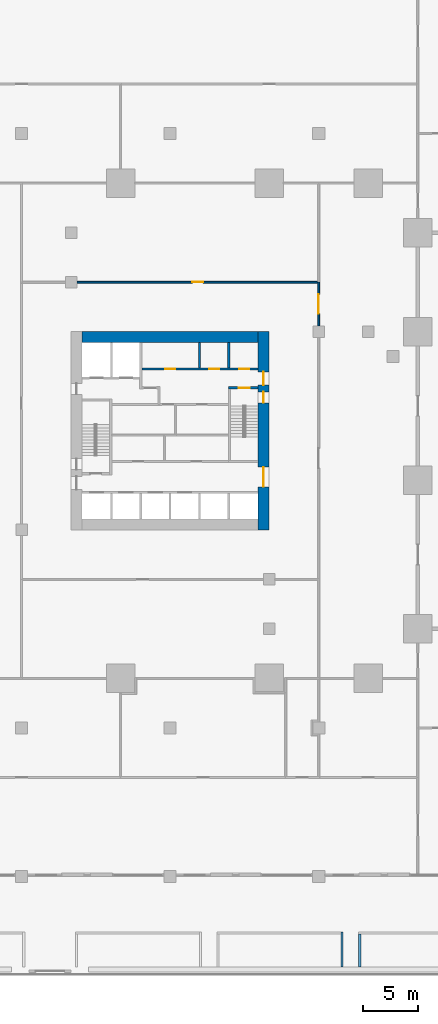
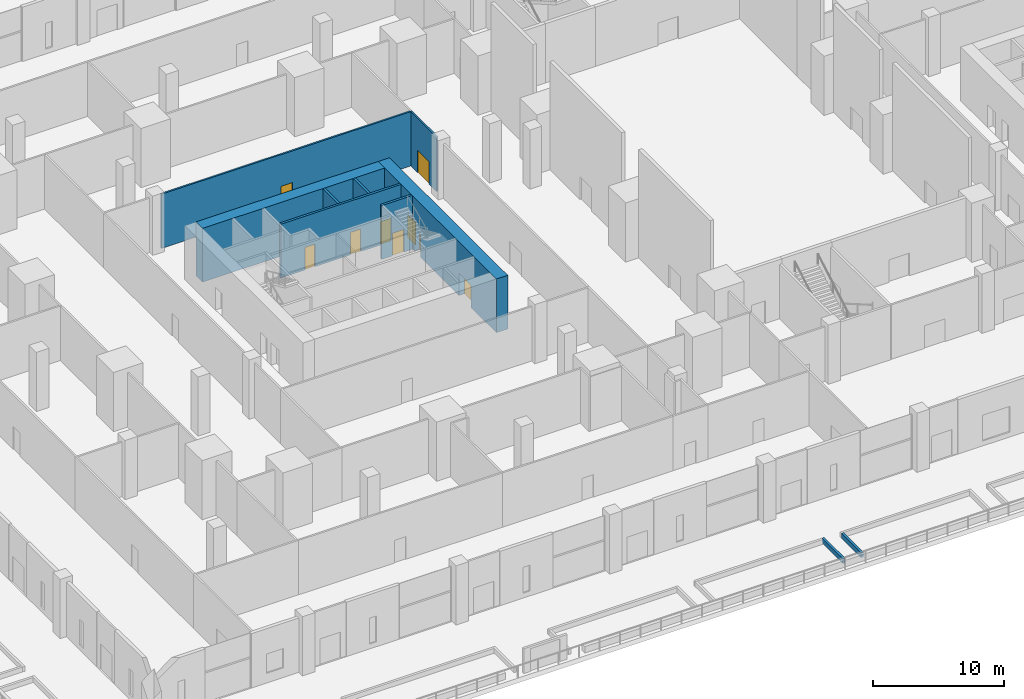
# One storey, part 26 of 47: 10 walls, 9 doors, 9 openings.
"""IFC4 building model written with IfcOpenShell, lengths in metres."""

from ifc_helpers import new_model, si_unit, direction, frame, frame_2d, origin, place, context, subcontext, project, spatial, rectangle, extrude, material, layer, layer_set, type_object, element, fill, save


model = new_model("IFC4")

# Units and contexts
model_context = context("Model", 3, precision=1e-05, world=origin(), true_north=direction((0.0, 1.0)))
body_context = subcontext(model_context, "Body", "Model", "MODEL_VIEW")
ifc_project = project(units=[si_unit("LENGTHUNIT", "METRE"), si_unit("AREAUNIT", "SQUARE_METRE"), si_unit("VOLUMEUNIT", "CUBIC_METRE"), si_unit("PLANEANGLEUNIT", "RADIAN"), si_unit("MASSUNIT", "GRAM", prefix="KILO")], contexts=[model_context])

# Site, building, storey
site_placement = place(None, origin())
site = spatial("IfcSite", under=ifc_project, at=site_placement, CompositionType="ELEMENT")
building_placement = place(site_placement, origin())
building = spatial("IfcBuilding", under=site, at=building_placement, Name="Altepetl Exchange Towers", CompositionType="ELEMENT")
storey_placement = place(building_placement, frame((0.0, 0.0, 6.0)))
storey = spatial("IfcBuildingStorey", under=building, at=storey_placement, Name="L01 Retail podium", CompositionType="ELEMENT", Elevation=6.0)

# Wall, openings, doors
ifc_material_1 = material(Name="Concrete C70/85", Category="concrete")
ifc_layer_1 = layer(ifc_material_1, 1.0)
ifc_layer_set_1 = layer_set([ifc_layer_1], Name="Concrete C70/85")
wall_type_1 = type_object("IfcWallType", Name="Core wall 1000 reinforced concrete", PredefinedType="SHEAR", material=ifc_layer_set_1)
wall_1_placement = place(storey_placement, frame((58.0, 40.5, 0.0), z_axis=(0.0, 0.0, 1.0), x_axis=(0.0, 1.0, 0.0)))
wall_1 = element("IfcWall", 1, at=wall_1_placement, inside=storey, type_object=wall_type_1, Name="wall:A:L01:K-coreE", PredefinedType="SHEAR", context=body_context, shape_type="SweptSolid", body=[
    extrude(rectangle(XDim=18.0, YDim=1.0, at=frame_2d((9.0, 0.0))), origin(), (0.0, 0.0, 1.0), 5.0),
])
opening_1_placement = place(wall_1_placement, frame((13.14990234375, 0.0, 0.0)))
opening_1 = element("IfcOpeningElement", 2, at=opening_1_placement, cuts=wall_1, Name="Opening L01.A60", PredefinedType="OPENING", context=body_context, shape_type="SweptSolid", body=[
    extrude(rectangle(XDim=1.199951171875, YDim=2.10009765625, at=frame_2d((0.60009765625, 1.050048828125))), frame((0.0, 0.510009765625, 0.0), z_axis=(0.0, -1.0, 0.0), x_axis=(1.0, 0.0, 0.0)), (0.0, 0.0, 1.0), 1.02001953125),
])
opening_2_placement = place(wall_1_placement, frame((3.89990234375, 0.0, 0.0)))
opening_2 = element("IfcOpeningElement", 3, at=opening_2_placement, cuts=wall_1, Name="Opening L01.A61", PredefinedType="OPENING", context=body_context, shape_type="SweptSolid", body=[
    extrude(rectangle(XDim=1.800048828125, YDim=2.10009765625, at=frame_2d((0.89990234375, 1.050048828125))), frame((0.0, 0.510009765625, 0.0), z_axis=(0.0, -1.0, 0.0), x_axis=(1.0, 0.0, 0.0)), (0.0, 0.0, 1.0), 1.02001953125),
])
opening_3_placement = place(wall_1_placement, frame((11.52490234375, 0.0, 0.0)))
opening_3 = element("IfcOpeningElement", 4, at=opening_3_placement, cuts=wall_1, Name="Opening L01.A66", PredefinedType="OPENING", context=body_context, shape_type="SweptSolid", body=[
    extrude(rectangle(XDim=1.0, YDim=2.10009765625, at=frame_2d((0.5, 1.050048828125))), frame((0.0, 0.510009765625, 0.0), z_axis=(0.0, -1.0, 0.0), x_axis=(1.0, 0.0, 0.0)), (0.0, 0.0, 1.0), 1.02001953125),
])
ifc_material_2 = material(Name="Steel and timber fire door", Category="steel")
door_type_1 = type_object("IfcDoorType", Name="Fire door 1000 x 2100 stair and lobby", OperationType="SINGLE_SWING_LEFT", PredefinedType="DOOR", material=ifc_material_2)
door_1_placement = place(opening_3_placement, origin())
door_1 = element("IfcDoor", 5, at=door_1_placement, inside=storey, type_object=door_type_1, Name="door:A:L01:K-dS2x", OperationType="SINGLE_SWING_RIGHT", OverallHeight=2.10009765625, OverallWidth=1.0, PredefinedType="DOOR", context=body_context, shape_type="SweptSolid", body=[
    extrude(rectangle(XDim=1.0, YDim=2.10009765625, at=frame_2d((0.5, 1.050048828125))), frame((0.0, 0.02490234375, 0.0), z_axis=(0.0, -1.0, 0.0), x_axis=(1.0, 0.0, 0.0)), (0.0, 0.0, 1.0), 0.050048828125),
])
fill(opening_3, door_1)
door_type_2 = type_object("IfcDoorType", Name="Fire door 1200 x 2100 lobby entry", OperationType="SINGLE_SWING_LEFT", PredefinedType="DOOR", material=ifc_material_2)
door_2_placement = place(opening_1_placement, origin())
door_2 = element("IfcDoor", 6, at=door_2_placement, inside=storey, type_object=door_type_2, Name="door:A:L01:K-dLNE", OperationType="SINGLE_SWING_RIGHT", OverallHeight=2.10009765625, OverallWidth=1.199951171875, PredefinedType="DOOR", context=body_context, shape_type="SweptSolid", body=[
    extrude(rectangle(XDim=1.199951171875, YDim=2.10009765625, at=frame_2d((0.60009765625, 1.050048828125))), frame((0.0, 0.02490234375, 0.0), z_axis=(0.0, -1.0, 0.0), x_axis=(1.0, 0.0, 0.0)), (0.0, 0.0, 1.0), 0.050048828125),
])
fill(opening_1, door_2)
door_type_3 = type_object("IfcDoorType", Name="Fire door 1800 x 2100 lobby entry", OperationType="DOUBLE_DOOR_SINGLE_SWING", PredefinedType="DOOR", material=ifc_material_2)
door_3_placement = place(opening_2_placement, origin())
door_3 = element("IfcDoor", 7, at=door_3_placement, inside=storey, type_object=door_type_3, Name="door:A:L01:K-dLSE", OperationType="DOUBLE_DOOR_SINGLE_SWING", OverallHeight=2.10009765625, OverallWidth=1.800048828125, PredefinedType="DOOR", context=body_context, shape_type="SweptSolid", body=[
    extrude(rectangle(XDim=1.800048828125, YDim=2.10009765625, at=frame_2d((0.89990234375, 1.050048828125))), frame((0.0, 0.02490234375, 0.0), z_axis=(0.0, -1.0, 0.0), x_axis=(1.0, 0.0, 0.0)), (0.0, 0.0, 1.0), 0.050048828125),
])
fill(opening_2, door_3)

# Walls
wall_2_placement = place(storey_placement, frame((41.5, 58.0, 0.0)))
element("IfcWall", 8, at=wall_2_placement, inside=storey, type_object=wall_type_1, Name="wall:A:L01:K-coreN", PredefinedType="SHEAR", context=body_context, shape_type="SweptSolid", body=[
    extrude(rectangle(XDim=16.0, YDim=1.0, at=frame_2d((8.0, 0.0))), origin(), (0.0, 0.0, 1.0), 5.0),
])
ifc_material_3 = material(Name="Reinforced concrete C35/45", Category="concrete")
ifc_layer_2 = layer(ifc_material_3, 0.199951171875)
ifc_layer_set_2 = layer_set([ifc_layer_2], Name="Reinforced concrete C35/45")
wall_type_2 = type_object("IfcWallType", Name="Planting bed curb 200", PredefinedType="SOLIDWALL", material=ifc_layer_set_2)
wall_3_placement = place(storey_placement, frame((65.1201171875, 0.77490234375, 0.0), z_axis=(0.0, 0.0, 1.0), x_axis=(0.0, 1.0, 0.0)))
element("IfcWall", 9, at=wall_3_placement, inside=storey, type_object=wall_type_2, Name="wall:P:L01:CB05e", PredefinedType="SOLIDWALL", context=body_context, shape_type="SweptSolid", body=[
    extrude(rectangle(XDim=3.2001953125, YDim=0.199951171875, at=frame_2d((1.60009765625, 0.0))), origin(), (0.0, 0.0, 1.0), 0.449951171875),
])
wall_4_placement = place(storey_placement, frame((66.719970703125, 0.77490234375, 0.0), z_axis=(0.0, 0.0, 1.0), x_axis=(0.0, 1.0, 0.0)))
element("IfcWall", 10, at=wall_4_placement, inside=storey, type_object=wall_type_2, Name="wall:P:L01:CB06w", PredefinedType="SOLIDWALL", context=body_context, shape_type="SweptSolid", body=[
    extrude(rectangle(XDim=3.0, YDim=0.199951171875, at=frame_2d((1.5, 0.0))), origin(), (0.0, 0.0, 1.0), 0.449951171875),
])

# Wall, opening, door
ifc_material_4 = material(Name="Gypsum board on steel studs", Category="steel")
ifc_layer_3 = layer(ifc_material_4, 0.14990234375)
ifc_layer_set_3 = layer_set([ifc_layer_3], Name="Gypsum board on steel studs")
wall_type_3 = type_object("IfcWallType", Name="Podium partition 150", PredefinedType="PARTITIONING", material=ifc_layer_set_3)
wall_5_placement = place(storey_placement, frame((63.0, 59.02001953125, 0.0), z_axis=(0.0, 0.0, 1.0), x_axis=(0.0, 1.0, 0.0)))
wall_5 = element("IfcWall", 11, at=wall_5_placement, inside=storey, type_object=wall_type_3, Name="wall:P:L01:P112", PredefinedType="PARTITIONING", context=body_context, shape_type="SweptSolid", body=[
    extrude(rectangle(XDim=3.97998046875, YDim=0.14990234375, at=frame_2d((1.989990234375, 0.0))), origin(), (0.0, 0.0, 1.0), 5.050048828125),
])
opening_4_placement = place(wall_5_placement, frame((1.10009765625, 0.0, 0.0)))
opening_4 = element("IfcOpeningElement", 12, at=opening_4_placement, cuts=wall_5, Name="Opening L01.P051", PredefinedType="OPENING", context=body_context, shape_type="SweptSolid", body=[
    extrude(rectangle(XDim=1.800048828125, YDim=2.10009765625, at=frame_2d((0.89990234375, 1.050048828125))), frame((0.0, 0.0849609375, 0.0), z_axis=(0.0, -1.0, 0.0), x_axis=(1.0, 0.0, 0.0)), (0.0, 0.0, 1.0), 0.169921875),
])
ifc_material_5 = material(Name="Glazed aluminium and steel", Category="steel")
door_type_4 = type_object("IfcDoorType", Name="Podium fire door 1800 x 2100 double leaf", OperationType="DOUBLE_DOOR_SINGLE_SWING", PredefinedType="DOOR", material=ifc_material_5)
door_4_placement = place(opening_4_placement, frame((1.800048828125, 0.0, 0.0), x_axis=(-1.0, 0.0, 0.0)))
door_4 = element("IfcDoor", 13, at=door_4_placement, inside=storey, type_object=door_type_4, Name="door:P:L01:051", OperationType="DOUBLE_DOOR_SINGLE_SWING", OverallHeight=2.10009765625, OverallWidth=1.800048828125, PredefinedType="DOOR", context=body_context, shape_type="SweptSolid", body=[
    extrude(rectangle(XDim=1.800048828125, YDim=2.10009765625, at=frame_2d((0.89990234375, 1.050048828125))), frame((0.0, 0.02490234375, 0.0), z_axis=(0.0, -1.0, 0.0), x_axis=(1.0, 0.0, 0.0)), (0.0, 0.0, 1.0), 0.050048828125),
])
fill(opening_4, door_4)

wall_6_placement = place(storey_placement, frame((41.02001953125, 63.0, 0.0)))
wall_6 = element("IfcWall", 14, at=wall_6_placement, inside=storey, type_object=wall_type_3, Name="wall:P:L01:P122", PredefinedType="PARTITIONING", context=body_context, shape_type="SweptSolid", body=[
    extrude(rectangle(XDim=21.905029296875, YDim=0.14990234375, at=frame_2d((10.95263671875, 0.0))), origin(), (0.0, 0.0, 1.0), 5.050048828125),
])
opening_5_placement = place(wall_6_placement, frame((10.5, 0.0, 0.0)))
opening_5 = element("IfcOpeningElement", 15, at=opening_5_placement, cuts=wall_6, Name="Opening L01.P013", PredefinedType="OPENING", context=body_context, shape_type="SweptSolid", body=[
    extrude(rectangle(XDim=1.0, YDim=2.10009765625, at=frame_2d((0.5, 1.050048828125))), frame((0.0, 0.0849609375, 0.0), z_axis=(0.0, -1.0, 0.0), x_axis=(1.0, 0.0, 0.0)), (0.0, 0.0, 1.0), 0.169921875),
])
door_type_5 = type_object("IfcDoorType", Name="Podium fire door 1000 x 2100 single leaf", OperationType="SINGLE_SWING_LEFT", PredefinedType="DOOR", material=ifc_material_2)
door_5_placement = place(opening_5_placement, origin())
door_5 = element("IfcDoor", 16, at=door_5_placement, inside=storey, type_object=door_type_5, Name="door:P:L01:013", OperationType="SINGLE_SWING_RIGHT", OverallHeight=2.10009765625, OverallWidth=1.0, PredefinedType="DOOR", context=body_context, shape_type="SweptSolid", body=[
    extrude(rectangle(XDim=1.0, YDim=2.10009765625, at=frame_2d((0.5, 1.050048828125))), frame((0.0, 0.02490234375, 0.0), z_axis=(0.0, -1.0, 0.0), x_axis=(1.0, 0.0, 0.0)), (0.0, 0.0, 1.0), 0.050048828125),
])
fill(opening_5, door_5)

# Walls
ifc_material_6 = material(Name="Concrete C40/50", Category="concrete")
ifc_layer_4 = layer(ifc_material_6, 0.199951171875)
ifc_layer_set_4 = layer_set([ifc_layer_4], Name="Concrete C40/50")
wall_type_4 = type_object("IfcWallType", Name="Shaft wall 200 reinforced concrete", PredefinedType="SHEAR", material=ifc_layer_set_4)
for number, where, z_axis, x_axis, name in (
    (17, (52.166748046875, 57.5, 0.0), (0.0, 0.0, 1.0), (0.0, -1.0, 0.0), "wall:A:L01:K-divN4"),
    (18, (54.833251953125, 57.5, 0.0), (0.0, 0.0, 1.0), (0.0, -1.0, 0.0), "wall:A:L01:K-divN5"),
):
    element("IfcWall", number, at=place(storey_placement, frame(where, z_axis=z_axis, x_axis=x_axis)), inside=storey, type_object=wall_type_4, Name=name, PredefinedType="SHEAR", context=body_context, shape_type="SweptSolid", body=[
        extrude(rectangle(XDim=2.300048828125, YDim=0.199951171875, at=frame_2d((1.14990234375, 0.0))), origin(), (0.0, 0.0, 1.0), 5.0),
    ])

# Wall, openings, doors
wall_7_placement = place(storey_placement, frame((46.933349609375, 55.10009765625, 0.0)))
wall_7 = element("IfcWall", 19, at=wall_7_placement, inside=storey, type_object=wall_type_4, Name="wall:A:L01:K-frontNb", PredefinedType="SHEAR", context=body_context, shape_type="SweptSolid", body=[
    extrude(rectangle(XDim=10.566650390625, YDim=0.199951171875, at=frame_2d((5.283203125, 0.0))), origin(), (0.0, 0.0, 1.0), 5.0),
])
opening_6_placement = place(wall_7_placement, frame((8.83349609375, 0.0, 0.0)))
opening_6 = element("IfcOpeningElement", 20, at=opening_6_placement, cuts=wall_7, Name="Opening L01.A69", PredefinedType="OPENING", context=body_context, shape_type="SweptSolid", body=[
    extrude(rectangle(XDim=0.89990234375, YDim=2.10009765625, at=frame_2d((0.449951171875, 1.050048828125))), frame((0.0, 0.10986328125, 0.0), z_axis=(0.0, -1.0, 0.0), x_axis=(1.0, 0.0, 0.0)), (0.0, 0.0, 1.0), 0.219970703125),
])
opening_7_placement = place(wall_7_placement, frame((2.11669921875, 0.0, 0.0)))
opening_7 = element("IfcOpeningElement", 21, at=opening_7_placement, cuts=wall_7, Name="Opening L01.A70", PredefinedType="OPENING", context=body_context, shape_type="SweptSolid", body=[
    extrude(rectangle(XDim=0.89990234375, YDim=2.10009765625, at=frame_2d((0.449951171875, 1.050048828125))), frame((0.0, 0.10986328125, 0.0), z_axis=(0.0, -1.0, 0.0), x_axis=(1.0, 0.0, 0.0)), (0.0, 0.0, 1.0), 0.219970703125),
])
opening_8_placement = place(wall_7_placement, frame((6.11669921875, 0.0, 0.0)))
opening_8 = element("IfcOpeningElement", 22, at=opening_8_placement, cuts=wall_7, Name="Opening L01.A71", PredefinedType="OPENING", context=body_context, shape_type="SweptSolid", body=[
    extrude(rectangle(XDim=0.89990234375, YDim=2.10009765625, at=frame_2d((0.449951171875, 1.050048828125))), frame((0.0, 0.10986328125, 0.0), z_axis=(0.0, -1.0, 0.0), x_axis=(1.0, 0.0, 0.0)), (0.0, 0.0, 1.0), 0.219970703125),
])
door_type_6 = type_object("IfcDoorType", Name="Fire door 900 x 2100 service room", OperationType="SINGLE_SWING_LEFT", PredefinedType="DOOR", material=ifc_material_2)
door_6_placement = place(opening_6_placement, origin())
door_6 = element("IfcDoor", 23, at=door_6_placement, inside=storey, type_object=door_type_6, Name="door:A:L01:K-driser", OperationType="SINGLE_SWING_RIGHT", OverallHeight=2.10009765625, OverallWidth=0.89990234375, PredefinedType="DOOR", context=body_context, shape_type="SweptSolid", body=[
    extrude(rectangle(XDim=0.89990234375, YDim=2.10009765625, at=frame_2d((0.449951171875, 1.050048828125))), frame((0.0, 0.02490234375, 0.0), z_axis=(0.0, -1.0, 0.0), x_axis=(1.0, 0.0, 0.0)), (0.0, 0.0, 1.0), 0.050048828125),
])
fill(opening_6, door_6)
door_7_placement = place(opening_7_placement, origin())
door_7 = element("IfcDoor", 24, at=door_7_placement, inside=storey, type_object=door_type_6, Name="door:A:L01:K-dslotN2", OperationType="SINGLE_SWING_RIGHT", OverallHeight=2.10009765625, OverallWidth=0.89990234375, PredefinedType="DOOR", context=body_context, shape_type="SweptSolid", body=[
    extrude(rectangle(XDim=0.89990234375, YDim=2.10009765625, at=frame_2d((0.449951171875, 1.050048828125))), frame((0.0, 0.02490234375, 0.0), z_axis=(0.0, -1.0, 0.0), x_axis=(1.0, 0.0, 0.0)), (0.0, 0.0, 1.0), 0.050048828125),
])
fill(opening_7, door_7)
door_8_placement = place(opening_8_placement, origin())
door_8 = element("IfcDoor", 25, at=door_8_placement, inside=storey, type_object=door_type_6, Name="door:A:L01:K-dslotN4", OperationType="SINGLE_SWING_RIGHT", OverallHeight=2.10009765625, OverallWidth=0.89990234375, PredefinedType="DOOR", context=body_context, shape_type="SweptSolid", body=[
    extrude(rectangle(XDim=0.89990234375, YDim=2.10009765625, at=frame_2d((0.449951171875, 1.050048828125))), frame((0.0, 0.02490234375, 0.0), z_axis=(0.0, -1.0, 0.0), x_axis=(1.0, 0.0, 0.0)), (0.0, 0.0, 1.0), 0.050048828125),
])
fill(opening_8, door_8)

# Wall, opening, door
ifc_layer_5 = layer(ifc_material_6, 0.199951171875)
ifc_layer_set_5 = layer_set([ifc_layer_5], Name="Concrete C40/50")
wall_type_5 = type_object("IfcWallType", Name="Stair wall 200 reinforced concrete", PredefinedType="SHEAR", material=ifc_layer_set_5)
wall_8_placement = place(storey_placement, frame((54.800048828125, 53.39990234375, 0.0)))
wall_8 = element("IfcWall", 26, at=wall_8_placement, inside=storey, type_object=wall_type_5, Name="wall:A:L01:K-stS2N", PredefinedType="SHEAR", context=body_context, shape_type="SweptSolid", body=[
    extrude(rectangle(XDim=2.699951171875, YDim=0.199951171875, at=frame_2d((1.35009765625, 0.0))), origin(), (0.0, 0.0, 1.0), 5.0),
])
opening_9_placement = place(wall_8_placement, frame((0.949951171875, 0.0, 0.0)))
opening_9 = element("IfcOpeningElement", 27, at=opening_9_placement, cuts=wall_8, Name="Opening L01.A65", PredefinedType="OPENING", context=body_context, shape_type="SweptSolid", body=[
    extrude(rectangle(XDim=1.0, YDim=2.10009765625, at=frame_2d((0.5, 1.050048828125))), frame((0.0, 0.10986328125, 0.0), z_axis=(0.0, -1.0, 0.0), x_axis=(1.0, 0.0, 0.0)), (0.0, 0.0, 1.0), 0.219970703125),
])
door_9_placement = place(opening_9_placement, frame((1.0, 0.0, 0.0), x_axis=(-1.0, 0.0, 0.0)))
door_9 = element("IfcDoor", 28, at=door_9_placement, inside=storey, type_object=door_type_1, Name="door:A:L01:K-dS2in", OperationType="SINGLE_SWING_LEFT", OverallHeight=2.10009765625, OverallWidth=1.0, PredefinedType="DOOR", context=body_context, shape_type="SweptSolid", body=[
    extrude(rectangle(XDim=1.0, YDim=2.10009765625, at=frame_2d((0.5, 1.050048828125))), frame((0.0, 0.02490234375, 0.0), z_axis=(0.0, -1.0, 0.0), x_axis=(1.0, 0.0, 0.0)), (0.0, 0.0, 1.0), 0.050048828125),
])
fill(opening_9, door_9)

save(model, "model.ifc")
